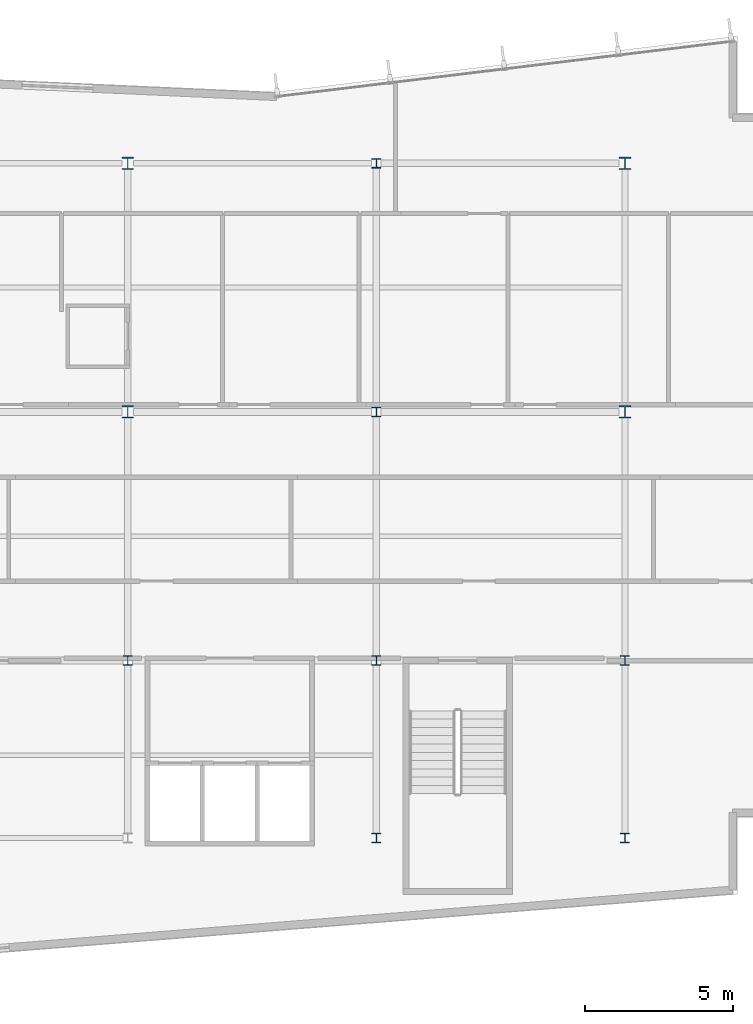
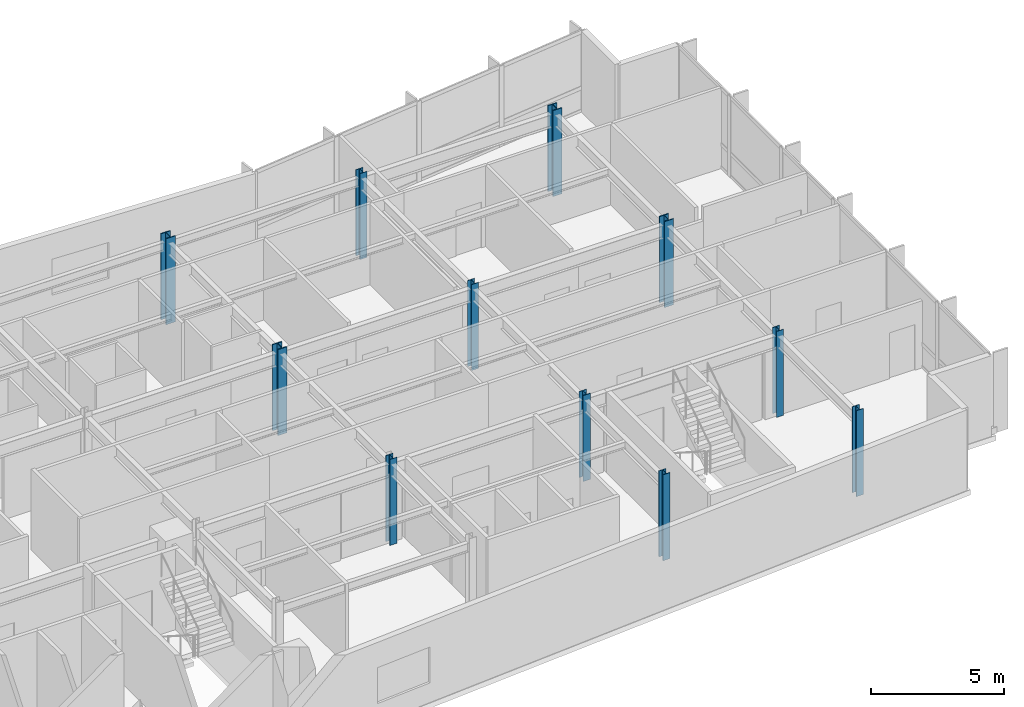
# One storey, part 2 of 18: 11 columns.
"""IFC4 building model written with IfcOpenShell, lengths in metres."""

from ifc_helpers import new_model, si_unit, direction, frame, origin, origin_2d, place, context, subcontext, project, spatial, i_section, extrude, material, material_profile, profile_set, type_object, element, save


model = new_model("IFC4")

# Units and contexts
model_context = context("Model", 3, precision=1e-05, world=origin(), true_north=direction((0.0, 1.0)))
body_context = subcontext(model_context, "Body", "Model", "MODEL_VIEW")
ifc_project = project(units=[si_unit("LENGTHUNIT", "METRE"), si_unit("AREAUNIT", "SQUARE_METRE"), si_unit("VOLUMEUNIT", "CUBIC_METRE"), si_unit("PLANEANGLEUNIT", "RADIAN"), si_unit("MASSUNIT", "GRAM", prefix="KILO")], contexts=[model_context])

# Site, building, storey
site_placement = place(None, origin())
site = spatial("IfcSite", under=ifc_project, at=site_placement, CompositionType="ELEMENT")
building_placement = place(site_placement, origin())
building = spatial("IfcBuilding", under=site, at=building_placement, Name="Varnakote Quay Hospital", CompositionType="ELEMENT")
storey_placement = place(building_placement, frame((0.0, 0.0, 123.10009765625)))
storey = spatial("IfcBuildingStorey", under=building, at=storey_placement, Name="L30", CompositionType="ELEMENT", Elevation=123.10009765625)

# Columns
ifc_material_1 = material(Name="Structural steel AS/NZS 3679.1 Grade 350 L0 (fy 340 MPa)", Category="steel")
ifc_material_profile_1 = material_profile(ifc_material_1, i_section(OverallWidth=0.30908203125, OverallDepth=0.321044921875, WebThickness=0.013916015625, FlangeThickness=0.021728515625, FilletRadius=0.0166015625, at=origin_2d()), Name="310UC137")
ifc_profile_set_1 = profile_set([ifc_material_profile_1], Name="Structural steel AS/NZS 3679.1 Grade 350 L0 (fy 340 MPa)")
column_type_1 = type_object("IfcColumnType", Name="COL-STL-310UC137", PredefinedType="COLUMN", material=ifc_profile_set_1)
for number, where, z_axis, x_axis, name in (
    (1, (42.0, 6.0, 0.0), (0.0, 0.0, 1.0), (1.0, 0.0, 0.0), "L30 Structural Column C-42-6"),
    (2, (50.39990234375, 6.0, 0.0), (0.0, 0.0, 1.0), (1.0, 0.0, 0.0), "L30 Structural Column C-50-6"),
    (3, (33.60009765625, 12.0, 0.0), (0.0, 0.0, 1.0), (1.0, 0.0, 0.0), "L30 Structural Column C-34-12"),
    (4, (42.0, 12.0, 0.0), (0.0, 0.0, 1.0), (1.0, 0.0, 0.0), "L30 Structural Column C-42-12"),
    (5, (50.39990234375, 12.0, 0.0), (0.0, 0.0, 1.0), (1.0, 0.0, 0.0), "L30 Structural Column C-50-12"),
    (6, (42.0, 20.39990234375, 0.0), (0.0, 0.0, 1.0), (1.0, 0.0, 0.0), "L30 Structural Column C-42-20"),
    (7, (42.0, 28.800048828125, 0.0), (0.0, 0.0, 1.0), (1.0, 0.0, 0.0), "L30 Structural Column C-42-29"),
):
    element("IfcColumn", number, at=place(storey_placement, frame(where, z_axis=z_axis, x_axis=x_axis)), inside=storey, type_object=column_type_1, Name=name, PredefinedType="COLUMN", context=body_context, shape_type="SweptSolid", body=[
        extrude(i_section(OverallWidth=0.30908203125, OverallDepth=0.321044921875, WebThickness=0.013916015625, FlangeThickness=0.021728515625, FilletRadius=0.0166015625, at=origin_2d()), origin(), (0.0, 0.0, 1.0), 3.949951171875),
    ])
ifc_material_2 = material(Name="Structural steel AS/NZS 3678 Grade 350 (fy 340 MPa)", Category="steel")
ifc_material_profile_2 = material_profile(ifc_material_2, i_section(OverallWidth=0.39990234375, OverallDepth=0.419921875, WebThickness=0.02490234375, FlangeThickness=0.0400390625, at=origin_2d()), Name="400WC328")
ifc_profile_set_2 = profile_set([ifc_material_profile_2], Name="Structural steel AS/NZS 3678 Grade 350 (fy 340 MPa)")
column_type_2 = type_object("IfcColumnType", Name="COL-STL-400WC328", PredefinedType="COLUMN", material=ifc_profile_set_2)
for number, where, z_axis, x_axis, name in (
    (8, (33.60009765625, 20.39990234375, 0.0), (0.0, 0.0, 1.0), (1.0, 0.0, 0.0), "L30 Structural Column C-34-20"),
    (9, (50.39990234375, 20.39990234375, 0.0), (0.0, 0.0, 1.0), (1.0, 0.0, 0.0), "L30 Structural Column C-50-20"),
    (10, (33.60009765625, 28.800048828125, 0.0), (0.0, 0.0, 1.0), (1.0, 0.0, 0.0), "L30 Structural Column C-34-29"),
    (11, (50.39990234375, 28.800048828125, 0.0), (0.0, 0.0, 1.0), (1.0, 0.0, 0.0), "L30 Structural Column C-50-29"),
):
    element("IfcColumn", number, at=place(storey_placement, frame(where, z_axis=z_axis, x_axis=x_axis)), inside=storey, type_object=column_type_2, Name=name, PredefinedType="COLUMN", context=body_context, shape_type="SweptSolid", body=[
        extrude(i_section(OverallWidth=0.39990234375, OverallDepth=0.419921875, WebThickness=0.02490234375, FlangeThickness=0.0400390625, at=origin_2d()), origin(), (0.0, 0.0, 1.0), 3.949951171875),
    ])

save(model, "model.ifc")
